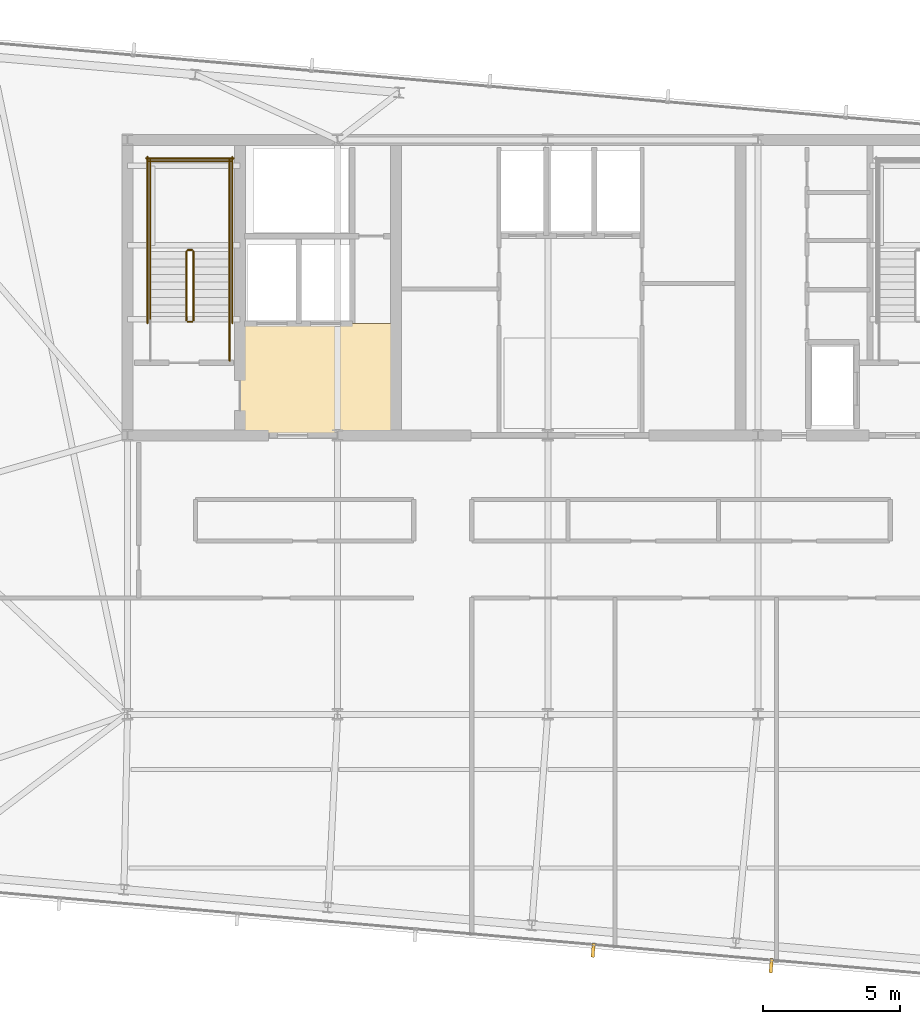
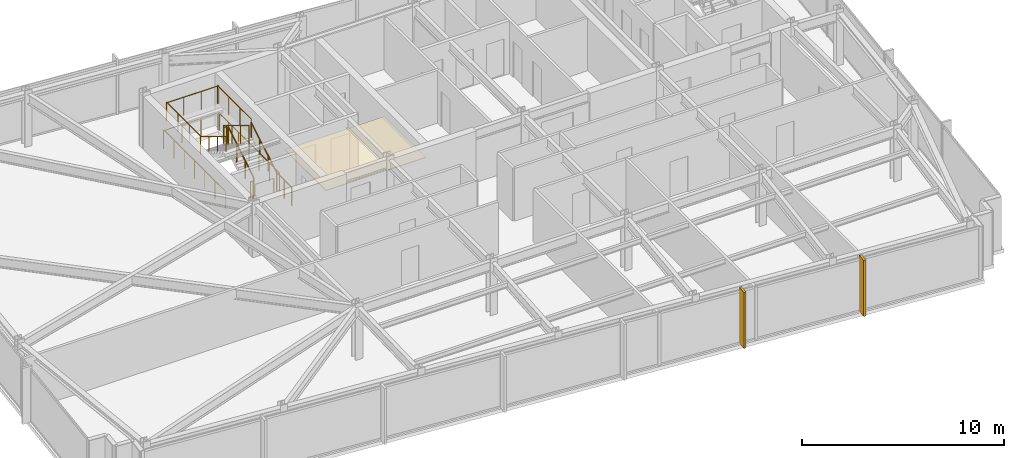
# One storey, part 30 of 32: 13 railings, 2 shading devices, 1 covering.
"""IFC4 building model written with IfcOpenShell, lengths in metres."""

from ifc_helpers import new_model, si_unit, direction, frame, origin, origin_2d, place, context, subcontext, project, spatial, polyline, rectangle, circle, outline, extrude, material, layer, layer_set, type_object, element, save


model = new_model("IFC4")

# Units and contexts
model_context = context("Model", 3, precision=1e-05, world=origin(), true_north=direction((0.0, 1.0)))
body_context = subcontext(model_context, "Body", "Model", "MODEL_VIEW")
ifc_project = project(units=[si_unit("LENGTHUNIT", "METRE"), si_unit("AREAUNIT", "SQUARE_METRE"), si_unit("VOLUMEUNIT", "CUBIC_METRE"), si_unit("PLANEANGLEUNIT", "RADIAN"), si_unit("MASSUNIT", "GRAM", prefix="KILO")], contexts=[model_context])

# Site, building, storey
site_placement = place(None, origin())
site = spatial("IfcSite", under=ifc_project, at=site_placement, CompositionType="ELEMENT")
building_placement = place(site_placement, origin())
building = spatial("IfcBuilding", under=site, at=building_placement, Name="Yelkora Congress Tower", CompositionType="ELEMENT")
storey_placement = place(building_placement, frame((0.0, 0.0, 293.10009765625)))
storey = spatial("IfcBuildingStorey", under=building, at=storey_placement, Name="L82", CompositionType="ELEMENT", Elevation=293.10009765625)

# Covering
ifc_material_1 = material(Name="Perforated mineral-fibre acoustic ceiling", Category="gypsum")
ifc_layer_1 = layer(ifc_material_1, 0.0400390625)
ifc_layer_set_1 = layer_set([ifc_layer_1], Name="Perforated mineral-fibre acoustic ceiling")
covering_type = type_object("IfcCoveringType", Name="COV-CEIL-ACOUSTIC-40", PredefinedType="CEILING", material=ifc_layer_set_1)
covering_placement = place(storey_placement, frame((0.0, 0.0, 2.39990234375)))
element("IfcCovering", 1, at=covering_placement, inside=storey, type_object=covering_type, Name="L82 Firefighting Lobby Acoustic Ceiling", PredefinedType="CEILING", context=body_context, shape_type="SweptSolid", body=[
    extrude(outline(polyline([(27.14990234375, 35.39990234375), (32.85009765625, 35.39990234375), (32.85009765625, 39.47998046875), (27.14990234375, 39.47998046875), (27.14990234375, 35.39990234375)])), origin(), (0.0, 0.0, 1.0), 0.0400390625),
])

# Railings
ifc_material_2 = material(Name="Painted galvanised steel stair well guard with vertical infill", Category="steel")
ifc_layer_2 = layer(ifc_material_2, 0.06005859375)
ifc_layer_set_2 = layer_set([ifc_layer_2], Name="Painted galvanised steel stair well guard with vertical infill")
railing_type_1 = type_object("IfcRailingType", Name="RAIL-STAIR-GUARD-1120", PredefinedType="GUARDRAIL", material=ifc_layer_set_2)
railing_1_placement = place(storey_placement, frame((25.449951171875, 39.60009765625, 0.169921875)))
element("IfcRailing", 2, at=railing_1_placement, inside=storey, type_object=railing_type_1, Name="ST-01 L82 Stair Well Guardrail 1", PredefinedType="GUARDRAIL", context=body_context, shape_type="SweptSolid", body=[
    extrude(circle(Radius=0.02392578125, at=origin_2d()), frame((0.0, 0.0, 1.09619140625), z_axis=(0.0, 0.85478489116, 0.518982456201), x_axis=(-1.0, 0.0, 0.0)), (0.0, 0.0, 1.0), 2.9482421875),
    extrude(circle(Radius=0.02099609375, at=origin_2d()), origin(), (0.0, 0.0, 1.0), 1.072021484375),
    extrude(circle(Radius=0.02099609375, at=origin_2d()), frame((0.0, 0.840087890625, 0.510009765625)), (0.0, 0.0, 1.0), 1.072021484375),
    extrude(circle(Radius=0.02099609375, at=origin_2d()), frame((0.0, 1.679931640625, 1.02001953125)), (0.0, 0.0, 1.0), 1.072021484375),
    extrude(circle(Radius=0.02099609375, at=origin_2d()), frame((0.0, 2.52001953125, 1.530029296875)), (0.0, 0.0, 1.0), 1.072021484375),
])
railing_2_placement = place(storey_placement, frame((25.39990234375, 42.169921875, 1.699951171875)))
element("IfcRailing", 3, at=railing_2_placement, inside=storey, type_object=railing_type_1, Name="ST-01 L82 Stair Well Guardrail 2", PredefinedType="GUARDRAIL", context=body_context, shape_type="SweptSolid", body=[
    extrude(circle(Radius=0.02392578125, at=origin_2d()), frame((0.0, 0.0, 1.09619140625), z_axis=(-1.0, 0.0, 0.0), x_axis=(0.0, -1.0, 0.0)), (0.0, 0.0, 1.0), 0.159912109375),
    extrude(circle(Radius=0.02099609375, at=origin_2d()), origin(), (0.0, 0.0, 1.0), 1.072021484375),
    extrude(circle(Radius=0.02099609375, at=origin_2d()), frame((-0.159912109375, 0.0, 0.0)), (0.0, 0.0, 1.0), 1.072021484375),
])
for number, where, name in (
    (4, (26.77001953125, 42.1201171875, 1.699951171875), "ST-01 L82 Stair Well Guardrail 3"),
    (5, (23.8701171875, 42.1201171875, 1.699951171875), "ST-01 L82 Stair Well Guardrail 4"),
):
    element("IfcRailing", number, at=place(storey_placement, frame(where)), inside=storey, type_object=railing_type_1, Name=name, PredefinedType="GUARDRAIL", context=body_context, shape_type="SweptSolid", body=[
        extrude(circle(Radius=0.02392578125, at=origin_2d()), frame((0.0, 0.0, 1.09619140625), z_axis=(0.0, 1.0, 0.0), x_axis=(-1.0, 0.0, 0.0)), (0.0, 0.0, 1.0), 3.349853515625),
        extrude(circle(Radius=0.02099609375, at=origin_2d()), origin(), (0.0, 0.0, 1.0), 1.072021484375),
        extrude(circle(Radius=0.02099609375, at=origin_2d()), frame((0.0, 1.11669921875, 0.0)), (0.0, 0.0, 1.0), 1.072021484375),
        extrude(circle(Radius=0.02099609375, at=origin_2d()), frame((0.0, 2.233154296875, 0.0)), (0.0, 0.0, 1.0), 1.072021484375),
        extrude(circle(Radius=0.02099609375, at=origin_2d()), frame((0.0, 3.349853515625, 0.0)), (0.0, 0.0, 1.0), 1.072021484375),
    ])
railing_3_placement = place(storey_placement, frame((26.820068359375, 45.419921875, 1.699951171875)))
element("IfcRailing", 6, at=railing_3_placement, inside=storey, type_object=railing_type_1, Name="ST-01 L82 Stair Well Guardrail 5", PredefinedType="GUARDRAIL", context=body_context, shape_type="SweptSolid", body=[
    extrude(circle(Radius=0.02392578125, at=origin_2d()), frame((0.0, 0.0, 1.09619140625), z_axis=(-1.0, 0.0, 0.0), x_axis=(0.0, -1.0, 0.0)), (0.0, 0.0, 1.0), 3.0),
    extrude(circle(Radius=0.02099609375, at=origin_2d()), origin(), (0.0, 0.0, 1.0), 1.072021484375),
    extrude(circle(Radius=0.02099609375, at=origin_2d()), frame((-1.0, 0.0, 0.0)), (0.0, 0.0, 1.0), 1.072021484375),
    extrude(circle(Radius=0.02099609375, at=origin_2d()), frame((-2.0, 0.0, 0.0)), (0.0, 0.0, 1.0), 1.072021484375),
    extrude(circle(Radius=0.02099609375, at=origin_2d()), frame((-3.0, 0.0, 0.0)), (0.0, 0.0, 1.0), 1.072021484375),
])
railing_4_placement = place(storey_placement, frame((25.18994140625, 42.1201171875, 1.869873046875)))
element("IfcRailing", 7, at=railing_4_placement, inside=storey, type_object=railing_type_1, Name="ST-01 L82 Stair Well Guardrail 6", PredefinedType="GUARDRAIL", context=body_context, shape_type="SweptSolid", body=[
    extrude(circle(Radius=0.02392578125, at=origin_2d()), frame((0.0, 0.0, 1.09619140625), z_axis=(0.0, -0.85478489116, 0.518982456201), x_axis=(1.0, 0.0, 0.0)), (0.0, 0.0, 1.0), 2.9482421875),
    extrude(circle(Radius=0.02099609375, at=origin_2d()), origin(), (0.0, 0.0, 1.0), 1.072021484375),
    extrude(circle(Radius=0.02099609375, at=origin_2d()), frame((0.0, -0.840087890625, 0.510009765625)), (0.0, 0.0, 1.0), 1.072021484375),
    extrude(circle(Radius=0.02099609375, at=origin_2d()), frame((0.0, -1.679931640625, 1.02001953125)), (0.0, 0.0, 1.0), 1.072021484375),
    extrude(circle(Radius=0.02099609375, at=origin_2d()), frame((0.0, -2.52001953125, 1.530029296875)), (0.0, 0.0, 1.0), 1.072021484375),
])
railing_5_placement = place(storey_placement, frame((25.39990234375, 39.550048828125, 0.0)))
element("IfcRailing", 8, at=railing_5_placement, inside=storey, type_object=railing_type_1, Name="ST-01 L82 Stair Well Guardrail 7", PredefinedType="GUARDRAIL", context=body_context, shape_type="SweptSolid", body=[
    extrude(circle(Radius=0.02392578125, at=origin_2d()), frame((0.0, 0.0, 1.09619140625), z_axis=(-1.0, 0.0, 0.0), x_axis=(0.0, -1.0, 0.0)), (0.0, 0.0, 1.0), 0.159912109375),
    extrude(circle(Radius=0.02099609375, at=origin_2d()), origin(), (0.0, 0.0, 1.0), 1.072021484375),
    extrude(circle(Radius=0.02099609375, at=origin_2d()), frame((-0.159912109375, 0.0, 0.0)), (0.0, 0.0, 1.0), 1.072021484375),
])
railing_6_placement = place(storey_placement, frame((26.77001953125, 38.1201171875, 0.0)))
element("IfcRailing", 9, at=railing_6_placement, inside=storey, type_object=railing_type_1, Name="ST-01 L82 Stair Well Guardrail 8", PredefinedType="GUARDRAIL", context=body_context, shape_type="SweptSolid", body=[
    extrude(circle(Radius=0.02392578125, at=origin_2d()), frame((0.0, 0.0, 1.09619140625), z_axis=(0.0, 1.0, 0.0), x_axis=(-1.0, 0.0, 0.0)), (0.0, 0.0, 1.0), 1.47998046875),
    extrude(circle(Radius=0.02099609375, at=origin_2d()), origin(), (0.0, 0.0, 1.0), 1.072021484375),
    extrude(circle(Radius=0.02099609375, at=origin_2d()), frame((0.0, 0.739990234375, 0.0)), (0.0, 0.0, 1.0), 1.072021484375),
    extrude(circle(Radius=0.02099609375, at=origin_2d()), frame((0.0, 1.47998046875, 0.0)), (0.0, 0.0, 1.0), 1.072021484375),
])
for number, where, name in (
    (10, (26.8701171875, 39.5, 0.0), "ST-01 L82 Stair Well Guardrail 10"),
    (11, (23.77001953125, 39.5, 0.0), "ST-01 L82 Stair Well Guardrail 11"),
):
    element("IfcRailing", number, at=place(storey_placement, frame(where)), inside=storey, type_object=railing_type_1, Name=name, PredefinedType="GUARDRAIL", context=body_context, shape_type="SweptSolid", body=[
        extrude(circle(Radius=0.02392578125, at=origin_2d()), frame((0.0, 0.0, 1.09619140625), z_axis=(0.0, 1.0, 0.0), x_axis=(-1.0, 0.0, 0.0)), (0.0, 0.0, 1.0), 6.070068359375),
        extrude(circle(Radius=0.02099609375, at=origin_2d()), origin(), (0.0, 0.0, 1.0), 1.072021484375),
        extrude(circle(Radius=0.02099609375, at=origin_2d()), frame((0.0, 1.01171875, 0.0)), (0.0, 0.0, 1.0), 1.072021484375),
        extrude(circle(Radius=0.02099609375, at=origin_2d()), frame((0.0, 2.0234375, 0.0)), (0.0, 0.0, 1.0), 1.072021484375),
        extrude(circle(Radius=0.02099609375, at=origin_2d()), frame((0.0, 3.03515625, 0.0)), (0.0, 0.0, 1.0), 1.072021484375),
        extrude(circle(Radius=0.02099609375, at=origin_2d()), frame((0.0, 4.046630859375, 0.0)), (0.0, 0.0, 1.0), 1.072021484375),
        extrude(circle(Radius=0.02099609375, at=origin_2d()), frame((0.0, 5.058349609375, 0.0)), (0.0, 0.0, 1.0), 1.072021484375),
        extrude(circle(Radius=0.02099609375, at=origin_2d()), frame((0.0, 6.070068359375, 0.0)), (0.0, 0.0, 1.0), 1.072021484375),
    ])
railing_7_placement = place(storey_placement, frame((26.919921875, 45.52001953125, 0.0)))
element("IfcRailing", 12, at=railing_7_placement, inside=storey, type_object=railing_type_1, Name="ST-01 L82 Stair Well Guardrail 12", PredefinedType="GUARDRAIL", context=body_context, shape_type="SweptSolid", body=[
    extrude(circle(Radius=0.02392578125, at=origin_2d()), frame((0.0, 0.0, 1.09619140625), z_axis=(-1.0, 0.0, 0.0), x_axis=(0.0, -1.0, 0.0)), (0.0, 0.0, 1.0), 3.199951171875),
    extrude(circle(Radius=0.02099609375, at=origin_2d()), origin(), (0.0, 0.0, 1.0), 1.072021484375),
    extrude(circle(Radius=0.02099609375, at=origin_2d()), frame((-1.066650390625, 0.0, 0.0)), (0.0, 0.0, 1.0), 1.072021484375),
    extrude(circle(Radius=0.02099609375, at=origin_2d()), frame((-2.13330078125, 0.0, 0.0)), (0.0, 0.0, 1.0), 1.072021484375),
    extrude(circle(Radius=0.02099609375, at=origin_2d()), frame((-3.199951171875, 0.0, 0.0)), (0.0, 0.0, 1.0), 1.072021484375),
])
ifc_material_3 = material(Name="Brushed stainless steel tubular handrail", Category="steel")
ifc_layer_3 = layer(ifc_material_3, 0.050048828125)
ifc_layer_set_3 = layer_set([ifc_layer_3], Name="Brushed stainless steel tubular handrail")
railing_type_2 = type_object("IfcRailingType", Name="RAIL-STAIR-HAND-920", PredefinedType="HANDRAIL", material=ifc_layer_set_3)
railing_8_placement = place(storey_placement, frame((26.77001953125, 39.60009765625, 0.169921875)))
element("IfcRailing", 13, at=railing_8_placement, inside=storey, type_object=railing_type_2, Name="ST-01 L82 Pitch Handrail 1", PredefinedType="HANDRAIL", context=body_context, shape_type="SweptSolid", body=[
    extrude(circle(Radius=0.02392578125, at=origin_2d()), frame((0.0, 0.0, 0.89599609375), z_axis=(0.0, 0.85478489116, 0.518982456201), x_axis=(-1.0, 0.0, 0.0)), (0.0, 0.0, 1.0), 2.9482421875),
    extrude(circle(Radius=0.02099609375, at=origin_2d()), origin(), (0.0, 0.0, 1.0), 0.871826171875),
    extrude(circle(Radius=0.02099609375, at=origin_2d()), frame((0.0, 0.840087890625, 0.510009765625)), (0.0, 0.0, 1.0), 0.871826171875),
    extrude(circle(Radius=0.02099609375, at=origin_2d()), frame((0.0, 1.679931640625, 1.02001953125)), (0.0, 0.0, 1.0), 0.871826171875),
    extrude(circle(Radius=0.02099609375, at=origin_2d()), frame((0.0, 2.52001953125, 1.530029296875)), (0.0, 0.0, 1.0), 0.871826171875),
])
railing_9_placement = place(storey_placement, frame((23.8701171875, 42.1201171875, 1.869873046875)))
element("IfcRailing", 14, at=railing_9_placement, inside=storey, type_object=railing_type_2, Name="ST-01 L82 Pitch Handrail 2", PredefinedType="HANDRAIL", context=body_context, shape_type="SweptSolid", body=[
    extrude(circle(Radius=0.02392578125, at=origin_2d()), frame((0.0, 0.0, 0.89599609375), z_axis=(0.0, -0.85478489116, 0.518982456201), x_axis=(1.0, 0.0, 0.0)), (0.0, 0.0, 1.0), 2.9482421875),
    extrude(circle(Radius=0.02099609375, at=origin_2d()), origin(), (0.0, 0.0, 1.0), 0.871826171875),
    extrude(circle(Radius=0.02099609375, at=origin_2d()), frame((0.0, -0.840087890625, 0.510009765625)), (0.0, 0.0, 1.0), 0.871826171875),
    extrude(circle(Radius=0.02099609375, at=origin_2d()), frame((0.0, -1.679931640625, 1.02001953125)), (0.0, 0.0, 1.0), 0.871826171875),
    extrude(circle(Radius=0.02099609375, at=origin_2d()), frame((0.0, -2.52001953125, 1.530029296875)), (0.0, 0.0, 1.0), 0.871826171875),
])

# Shading devices
ifc_material_4 = material(Name="Champagne anodised aluminium", Category="aluminium")
ifc_layer_4 = layer(ifc_material_4, 3.300048828125)
ifc_layer_set_4 = layer_set([ifc_layer_4], Name="Champagne anodised aluminium")
shading_device_type = type_object("IfcShadingDeviceType", Name="SHD-FIN-ALU-520", PredefinedType="USERDEFINED", material=ifc_layer_set_4)
for number, where, z_axis, x_axis, name in (
    (15, (46.567138671875, 16.0107421875, -0.030029296875), (0.0, 0.0, 1.0), (-0.996194698092, 0.087155742748, 0.0), "L82 Vertical Anodised Solar Fin 20-1"),
    (16, (40.060546875, 16.579833984375, -0.030029296875), (0.0, 0.0, 1.0), (-0.996194698092, 0.087155742748, 0.0), "L82 Vertical Anodised Solar Fin 20-2"),
):
    element("IfcShadingDevice", number, at=place(storey_placement, frame(where, z_axis=z_axis, x_axis=x_axis)), inside=storey, type_object=shading_device_type, Name=name, ObjectType="FIN", PredefinedType="USERDEFINED", context=body_context, shape_type="SweptSolid", body=[
        extrude(rectangle(XDim=0.1201171875, YDim=0.52001953125, at=origin_2d()), origin(), (0.0, 0.0, 1.0), 3.3798828125),
    ])

save(model, "model.ifc")
